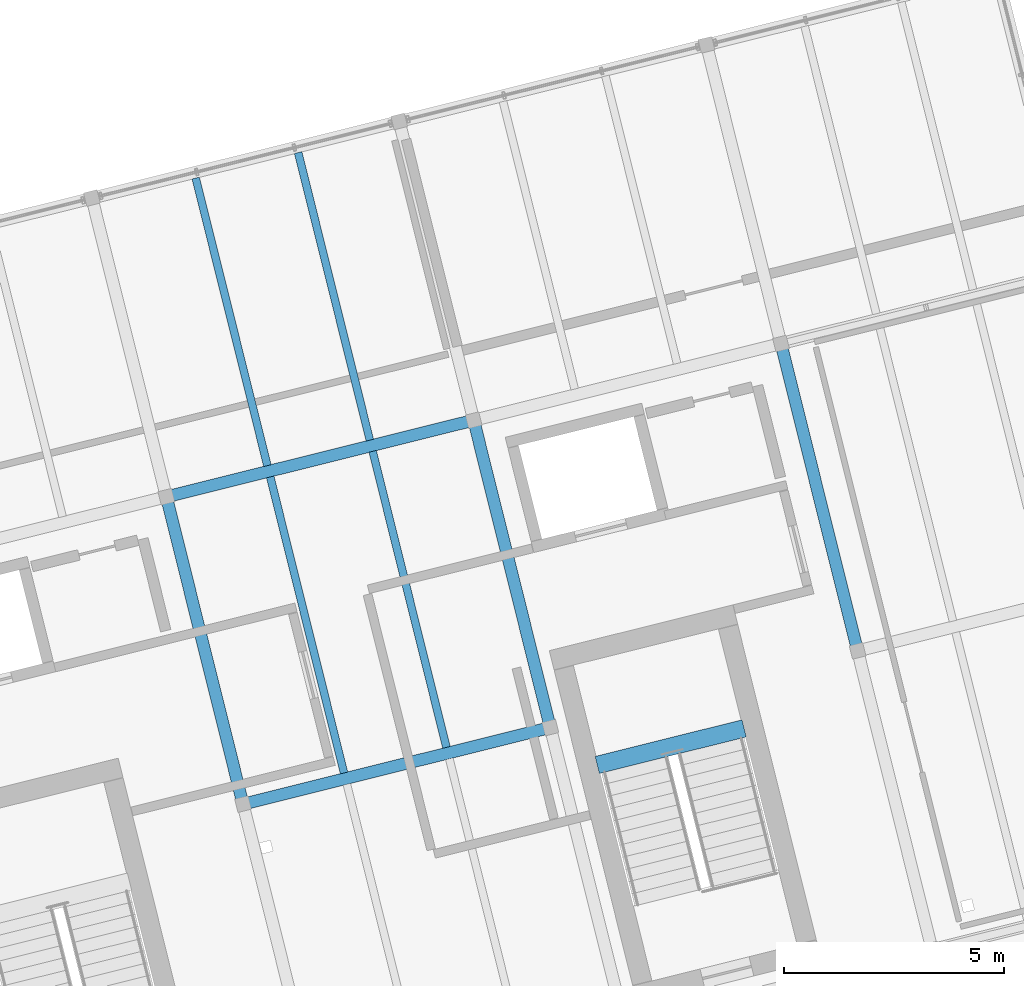
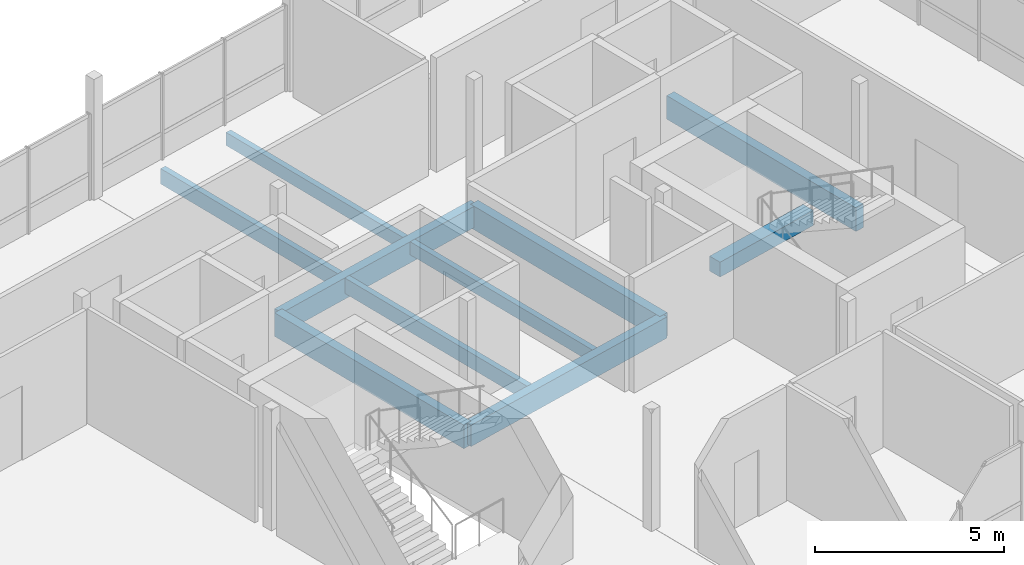
# One storey, part 13 of 25: 10 beams.
"""IFC4 building model written with IfcOpenShell, lengths in metres."""

from ifc_helpers import new_model, si_unit, direction, frame, origin, origin_2d, place, context, subcontext, project, spatial, rectangle, extrude, material, material_profile, profile_set, type_object, element, save


model = new_model("IFC4")

# Units and contexts
model_context = context("Model", 3, precision=1e-05, world=origin(), true_north=direction((0.0, 1.0)))
body_context = subcontext(model_context, "Body", "Model", "MODEL_VIEW")
ifc_project = project(units=[si_unit("LENGTHUNIT", "METRE"), si_unit("AREAUNIT", "SQUARE_METRE"), si_unit("VOLUMEUNIT", "CUBIC_METRE"), si_unit("PLANEANGLEUNIT", "RADIAN"), si_unit("MASSUNIT", "GRAM", prefix="KILO")], contexts=[model_context])

# Site, building, storey
site_placement = place(None, origin())
site = spatial("IfcSite", under=ifc_project, at=site_placement, CompositionType="ELEMENT")
building_placement = place(site_placement, origin())
building = spatial("IfcBuilding", under=site, at=building_placement, Name="Meriwether Solvik Hall", CompositionType="ELEMENT")
storey_placement = place(building_placement, frame((0.0, 0.0, 53.39990234375)))
storey = spatial("IfcBuildingStorey", under=building, at=storey_placement, Name="L13", CompositionType="ELEMENT", Elevation=53.39990234375)

# Beams
ifc_material_1 = material(Name="Glulam Douglas-Fir 24F-V8 GL28h", Category="wood")
ifc_material_profile_1 = material_profile(ifc_material_1, rectangle(XDim=0.27294921875, YDim=0.68505859375, at=origin_2d()), Name="GLB-273X685")
ifc_profile_set_1 = profile_set([ifc_material_profile_1], Name="Glulam Douglas-Fir 24F-V8 GL28h")
beam_type_1 = type_object("IfcBeamType", Name="BM-GL-273X685", PredefinedType="BEAM", material=ifc_profile_set_1)
for number, where, z_axis, x_axis, name in (
    (1, (79.621826171875, 58.17041015625, -0.5224609375), (0.970291911955, 0.241937193493, 0.0), (-0.241937193493, 0.970291911955, 0.0), "Tower Girder TC:T3-T4 (L13)"),
    (2, (77.880126953125, 65.15673828125, -0.5224609375), (0.970299871507, 0.241905269381, 0.0), (-0.241905269381, 0.970299871507, 0.0), "Tower Girder TD:T3-T4 (L13)"),
):
    element("IfcBeam", number, at=place(storey_placement, frame(where, z_axis=z_axis, x_axis=x_axis)), inside=storey, type_object=beam_type_1, Name=name, PredefinedType="BEAM", context=body_context, shape_type="SweptSolid", body=[
        extrude(rectangle(XDim=0.27294921875, YDim=0.68505859375, at=origin_2d()), origin(), (0.0, 0.0, 1.0), 7.199951171875),
    ])
ifc_material_2 = material(Name="Glulam Douglas-Fir 24F-V8 GL28h", Category="wood")
ifc_material_profile_2 = material_profile(ifc_material_2, rectangle(XDim=0.27294921875, YDim=0.760009765625, at=origin_2d()), Name="GLB-273X760")
ifc_profile_set_2 = profile_set([ifc_material_profile_2], Name="Glulam Douglas-Fir 24F-V8 GL28h")
beam_type_2 = type_object("IfcBeamType", Name="BM-GL-273X760", PredefinedType="BEAM", material=ifc_profile_set_2)
beam_1_placement = place(storey_placement, frame((79.621826171875, 58.17041015625, -0.559814453125), z_axis=(-0.241897310542, 0.970301855688, 0.0), x_axis=(-0.970301855688, -0.241897310542, 0.0)))
element("IfcBeam", 3, at=beam_1_placement, inside=storey, type_object=beam_type_2, Name="Tower Girder T3:TC-TD (L13)", PredefinedType="BEAM", context=body_context, shape_type="SweptSolid", body=[
    extrude(rectangle(XDim=0.27294921875, YDim=0.760009765625, at=origin_2d()), origin(), (0.0, 0.0, 1.0), 7.2001953125),
])
for number, where, z_axis, x_axis, name in (
    (4, (86.60791015625, 59.912353515625, -0.559814453125), (-0.241905269381, 0.970299871507, 0.0), (-0.970299871507, -0.241905269381, 0.0), "Tower Girder T4:TC-TD (L13)"),
    (5, (93.593994140625, 61.654296875, -0.559814453125), (-0.241905269381, 0.970299871507, 0.0), (-0.970299871507, -0.241905269381, 0.0), "Tower Girder T5:TC-TD (L13)"),
):
    element("IfcBeam", number, at=place(storey_placement, frame(where, z_axis=z_axis, x_axis=x_axis)), inside=storey, type_object=beam_type_2, Name=name, PredefinedType="BEAM", context=body_context, shape_type="SweptSolid", body=[
        extrude(rectangle(XDim=0.27294921875, YDim=0.760009765625, at=origin_2d()), origin(), (0.0, 0.0, 1.0), 7.199951171875),
    ])
ifc_material_3 = material(Name="Concrete C40/50", Category="concrete")
ifc_material_profile_3 = material_profile(ifc_material_3, rectangle(XDim=0.39990234375, YDim=0.47998046875, at=origin_2d()), Name="RCB-400X480")
ifc_profile_set_3 = profile_set([ifc_material_profile_3], Name="Concrete C40/50")
beam_type_3 = type_object("IfcBeamType", Name="BM-LND-RC-400X480", PredefinedType="BEAM", material=ifc_profile_set_3)
beam_2_placement = place(storey_placement, frame((87.67578125, 59.060302734375, 1.510009765625), z_axis=(0.970292601873, 0.24193442655, 0.0), x_axis=(-0.24193442655, 0.970292601873, 0.0)))
element("IfcBeam", 6, at=beam_2_placement, inside=storey, type_object=beam_type_3, Name="Stair ST-02 Half-Landing Header Beam (L13)", PredefinedType="BEAM", context=body_context, shape_type="SweptSolid", body=[
    extrude(rectangle(XDim=0.39990234375, YDim=0.47998046875, at=origin_2d()), origin(), (0.0, 0.0, 1.0), 3.440185546875),
])
ifc_material_4 = material(Name="Glulam Douglas-Fir 24F-V8 GL28h", Category="wood")
ifc_material_profile_4 = material_profile(ifc_material_4, rectangle(XDim=0.175048828125, YDim=0.419921875, at=origin_2d()), Name="GLJ-175X420")
ifc_profile_set_4 = profile_set([ifc_material_profile_4], Name="Glulam Douglas-Fir 24F-V8 GL28h")
beam_type_4 = type_object("IfcBeamType", Name="JST-GL-175X420", PredefinedType="JOIST", material=ifc_profile_set_4)
beam_3_placement = place(storey_placement, frame((84.24755859375, 59.459228515625, -0.389892578125), z_axis=(-0.241922788949, 0.970295503539, 0.0), x_axis=(-0.970295503539, -0.241922788949, 0.0)))
element("IfcBeam", 7, at=beam_3_placement, inside=storey, type_object=beam_type_4, Name="Glulam Floor Joist T3/TC-J2 (L13)", PredefinedType="JOIST", context=body_context, shape_type="SweptSolid", body=[
    extrude(rectangle(XDim=0.175048828125, YDim=0.419921875, at=origin_2d()), origin(), (0.0, 0.0, 1.0), 6.93701171875),
])
beam_4_placement = place(storey_placement, frame((82.505615234375, 66.445556640625, -0.389892578125), z_axis=(-0.241930176813, 0.9702936615, 0.0), x_axis=(-0.9702936615, -0.241930176813, 0.0)))
element("IfcBeam", 8, at=beam_4_placement, inside=storey, type_object=beam_type_4, Name="Glulam Floor Joist T3/TD-J2 (L13)", PredefinedType="JOIST", context=body_context, shape_type="SweptSolid", body=[
    extrude(rectangle(XDim=0.175048828125, YDim=0.419921875, at=origin_2d()), origin(), (0.0, 0.0, 1.0), 6.737060546875),
])
ifc_material_5 = material(Name="Glulam Douglas-Fir 24F-V8 GL28h", Category="wood")
ifc_material_profile_5 = material_profile(ifc_material_5, rectangle(XDim=0.175048828125, YDim=0.4951171875, at=origin_2d()), Name="GLJ-175X495")
ifc_profile_set_5 = profile_set([ifc_material_profile_5], Name="Glulam Douglas-Fir 24F-V8 GL28h")
beam_type_5 = type_object("IfcBeamType", Name="JST-GL-175X495", PredefinedType="JOIST", material=ifc_profile_set_5)
beam_5_placement = place(storey_placement, frame((81.918701171875, 58.878662109375, -0.427490234375), z_axis=(-0.241922788949, 0.970295503539, 0.0), x_axis=(-0.970295503539, -0.241922788949, 0.0)))
element("IfcBeam", 9, at=beam_5_placement, inside=storey, type_object=beam_type_5, Name="Glulam Floor Joist T3/TC-J1 (L13)", PredefinedType="JOIST", context=body_context, shape_type="SweptSolid", body=[
    extrude(rectangle(XDim=0.175048828125, YDim=0.4951171875, at=origin_2d()), origin(), (0.0, 0.0, 1.0), 6.93701171875),
])
beam_6_placement = place(storey_placement, frame((80.177001953125, 65.86474609375, -0.427490234375), z_axis=(-0.241921670289, 0.970295782452, 0.0), x_axis=(-0.970295782452, -0.241921670289, 0.0)))
element("IfcBeam", 10, at=beam_6_placement, inside=storey, type_object=beam_type_5, Name="Glulam Floor Joist T3/TD-J1 (L13)", PredefinedType="JOIST", context=body_context, shape_type="SweptSolid", body=[
    extrude(rectangle(XDim=0.175048828125, YDim=0.4951171875, at=origin_2d()), origin(), (0.0, 0.0, 1.0), 6.7373046875),
])

save(model, "model.ifc")
